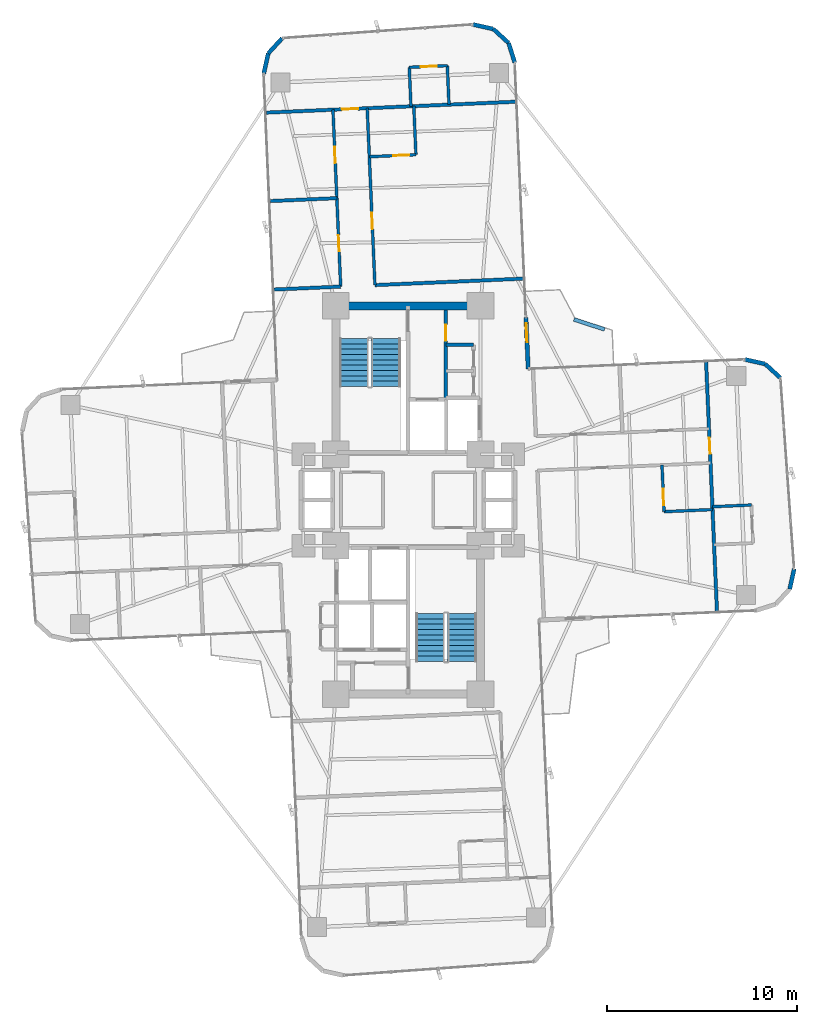
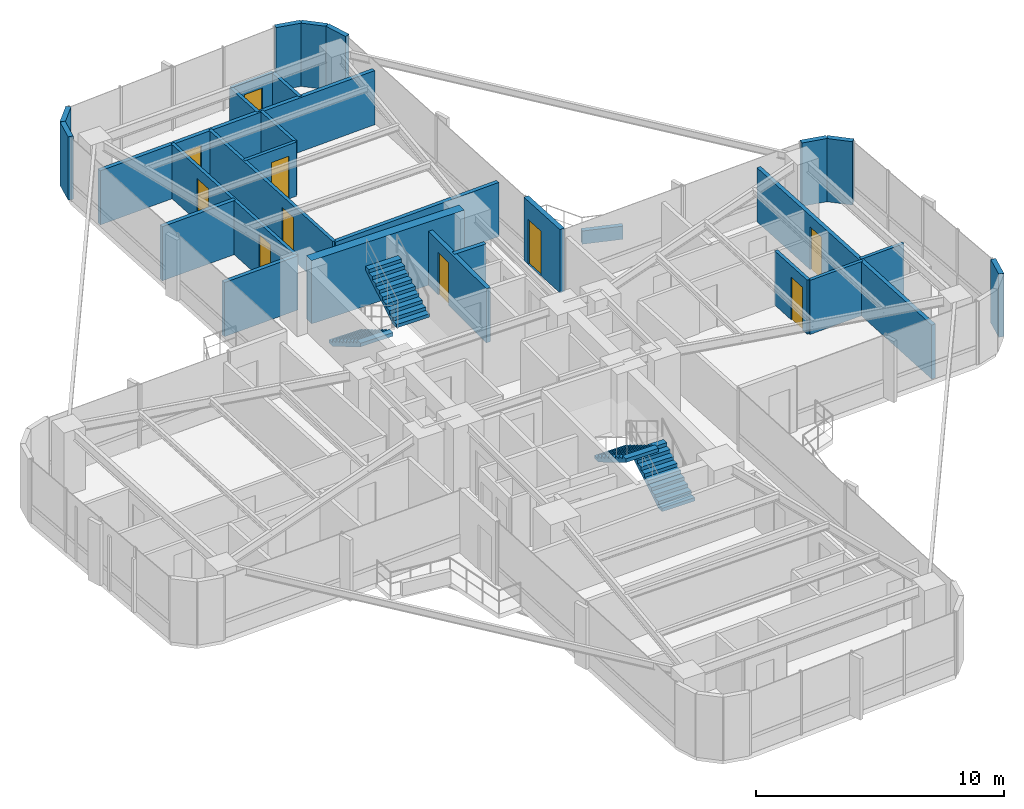
# One storey, part 25 of 27: 28 walls, 10 doors, 4 stair flights, 10 openings, 2 elements without a shape of their own.
"""IFC4 building model written with IfcOpenShell, lengths in metres."""

from ifc_helpers import new_model, si_unit, direction, frame, frame_2d, origin, origin_2d, place, context, subcontext, project, spatial, polyline, rectangle, outline, extrude, source, transform, mapped, material, layer, layer_set, type_object, element, fill, aggregate, save


model = new_model("IFC4")

# Units and contexts
model_context = context("Model", 3, precision=1e-05, world=origin(), true_north=direction((0.0, 1.0)))
body_context = subcontext(model_context, "Body", "Model", "MODEL_VIEW")
ifc_project = project(units=[si_unit("LENGTHUNIT", "METRE"), si_unit("AREAUNIT", "SQUARE_METRE"), si_unit("VOLUMEUNIT", "CUBIC_METRE"), si_unit("PLANEANGLEUNIT", "RADIAN"), si_unit("MASSUNIT", "GRAM", prefix="KILO")], contexts=[model_context])

# Site, building, storey
site_placement = place(None, origin())
site = spatial("IfcSite", under=ifc_project, at=site_placement, CompositionType="ELEMENT")
building_placement = place(site_placement, origin())
building = spatial("IfcBuilding", under=site, at=building_placement, Name="Sahyath Konkavel Grand Hotel", CompositionType="ELEMENT")
storey_placement = place(building_placement, frame((0.0, 0.0, 90.199951171875)))
storey = spatial("IfcBuildingStorey", under=building, at=storey_placement, Name="L24", CompositionType="ELEMENT", Elevation=90.199951171875)

# Walls
ifc_material_1 = material(Name="Concrete C50/60", Category="concrete")
ifc_layer_1 = layer(ifc_material_1, 0.419921875)
ifc_layer_set_1 = layer_set([ifc_layer_1], Name="Concrete C50/60")
wall_type_1 = type_object("IfcWallType", Name="CWALL-420", PredefinedType="SHEAR", material=ifc_layer_set_1)
wall_1_placement = place(storey_placement, frame((-3.550048828125, 10.199951171875, 0.0), z_axis=(0.0, 0.0, 1.0), x_axis=(1.0, 0.0, 0.0)))
element("IfcWall", 1, at=wall_1_placement, inside=storey, type_object=wall_type_1, Name="L24 North Core Shear Wall N", PredefinedType="SHEAR", context=body_context, shape_type="SweptSolid", body=[
    extrude(rectangle(XDim=7.10009765625, YDim=0.419921875, at=frame_2d((3.550048828125, 0.0))), origin(), (0.0, 0.0, 1.0), 3.110107421875),
])
ifc_material_2 = material(Name="Warm Buff Sandstone Insulated Concrete C40/50", Category="masonry")
ifc_layer_2 = layer(ifc_material_2, 0.219970703125)
ifc_layer_set_2 = layer_set([ifc_layer_2], Name="Warm Buff Sandstone Insulated Concrete C40/50")
wall_type_2 = type_object("IfcWallType", Name="WLL-BALC-THRESH", PredefinedType="STANDARD", material=ifc_layer_set_2)
for number, where, z_axis, x_axis, name in (
    (2, (20.0419921875, -4.68017578125, 0.0), (0.0, 0.0, 1.0), (0.216288323511, 0.976329535102, 0.0), "L24 Rounded Corner Sandstone Pier 3"),
    (3, (19.5576171875, 6.4091796875, 0.0), (0.0, 0.0, 1.0), (-0.737210081318, 0.675663596772, 0.0), "L24 Rounded Corner Sandstone Pier 5"),
):
    element("IfcWall", number, at=place(storey_placement, frame(where, z_axis=z_axis, x_axis=x_axis)), inside=storey, type_object=wall_type_2, Name=name, PredefinedType="STANDARD", context=body_context, shape_type="SweptSolid", body=[
        extrude(rectangle(XDim=1.0869140625, YDim=0.219970703125, at=frame_2d((0.54345703125, 0.0))), origin(), (0.0, 0.0, 1.0), 3.110107421875),
    ])
wall_2_placement = place(storey_placement, frame((18.75634765625, 7.1435546875, 0.0), z_axis=(0.0, 0.0, 1.0), x_axis=(-0.976282085775, 0.216502399514, 0.0)))
element("IfcWall", 4, at=wall_2_placement, inside=storey, type_object=wall_type_2, Name="L24 Rounded Corner Sandstone Pier 6", PredefinedType="STANDARD", context=body_context, shape_type="SweptSolid", body=[
    extrude(rectangle(XDim=1.087158203125, YDim=0.219970703125, at=frame_2d((0.54345703125, 0.0))), origin(), (0.0, 0.0, 1.0), 3.110107421875),
])

# Wall, opening, door
wall_3_placement = place(storey_placement, frame((6.305908203125, 6.881591796875, 0.0), z_axis=(0.0, 0.0, 1.0), x_axis=(-0.043672655174, 0.999045894436, 0.0)))
wall_3 = element("IfcWall", 5, at=wall_3_placement, inside=storey, type_object=wall_type_2, Name="L24 Winter-Garden Threshold Wall 8", PredefinedType="STANDARD", context=body_context, shape_type="SweptSolid", body=[
    extrude(rectangle(XDim=2.7001953125, YDim=0.219970703125, at=frame_2d((1.35009765625, 0.0))), origin(), (0.0, 0.0, 1.0), 3.110107421875),
])
opening_1_placement = place(wall_3_placement, frame((1.39990234375, 0.0, 0.0)))
opening_1 = element("IfcOpeningElement", 6, at=opening_1_placement, cuts=wall_3, Name="Opening D-TR1", PredefinedType="OPENING", context=body_context, shape_type="SweptSolid", body=[
    extrude(rectangle(XDim=1.0, YDim=2.199951171875, at=frame_2d((0.5, 1.10009765625))), frame((0.0, 0.1201171875, 0.0), z_axis=(0.0, -1.0, 0.0), x_axis=(1.0, 0.0, 0.0)), (0.0, 0.0, 1.0), 0.239990234375),
])
ifc_material_3 = material(Name="Anodised Bronze Aluminium & Low-E Glazing", Category="aluminium")
door_type_1 = type_object("IfcDoorType", Name="DR-TERRACE-1000", OperationType="NOTDEFINED", PredefinedType="DOOR", material=ifc_material_3)
shared_shape_1 = source(origin(), body_context, "Body", "SweptSolid", [
    extrude(rectangle(XDim=1.0, YDim=0.050048828125, at=origin_2d()), origin(), (0.0, 0.0, 1.0), 2.199951171875),
])
door_1_placement = place(opening_1_placement, frame((0.5, 0.0, 0.0)))
door_1 = element("IfcDoor", 7, at=door_1_placement, inside=storey, type_object=door_type_1, Name="L24 Winter-Garden Terrace Door 8", OperationType="SINGLE_SWING_LEFT", OverallHeight=2.199951171875, OverallWidth=1.0, PredefinedType="DOOR", context=body_context, shape_type="MappedRepresentation", body=[
    mapped(shared_shape_1, transform((0.0, 0.0, 0.0), scale=1.0)),
])
fill(opening_1, door_1)

# Walls
wall_4_placement = place(storey_placement, frame((5.603515625, 22.96630859375, 0.0), z_axis=(0.0, 0.0, 1.0), x_axis=(-0.300755105707, 0.953701403161, 0.0)))
element("IfcWall", 8, at=wall_4_placement, inside=storey, type_object=wall_type_2, Name="L24 Rounded Corner Sandstone Pier 9", PredefinedType="STANDARD", context=body_context, shape_type="SweptSolid", body=[
    extrude(rectangle(XDim=1.0869140625, YDim=0.219970703125, at=frame_2d((0.54345703125, 0.0))), origin(), (0.0, 0.0, 1.0), 3.110107421875),
])
wall_5_placement = place(storey_placement, frame((5.276611328125, 24.0029296875, 0.0), z_axis=(0.0, 0.0, 1.0), x_axis=(-0.737312600672, 0.675551721847, 0.0)))
element("IfcWall", 9, at=wall_5_placement, inside=storey, type_object=wall_type_2, Name="L24 Rounded Corner Sandstone Pier 10", PredefinedType="STANDARD", context=body_context, shape_type="SweptSolid", body=[
    extrude(rectangle(XDim=1.087158203125, YDim=0.219970703125, at=frame_2d((0.54345703125, 0.0))), origin(), (0.0, 0.0, 1.0), 3.110107421875),
])
for number, where, z_axis, x_axis, name in (
    (10, (4.47509765625, 24.7373046875, 0.0), (0.0, 0.0, 1.0), (-0.976271555154, 0.216549880158, 0.0), "L24 Rounded Corner Sandstone Pier 11"),
    (11, (-6.6142578125, 24.253173828125, 0.0), (0.0, 0.0, 1.0), (-0.675663596772, -0.737210081318, 0.0), "L24 Rounded Corner Sandstone Pier 13"),
):
    element("IfcWall", number, at=place(storey_placement, frame(where, z_axis=z_axis, x_axis=x_axis)), inside=storey, type_object=wall_type_2, Name=name, PredefinedType="STANDARD", context=body_context, shape_type="SweptSolid", body=[
        extrude(rectangle(XDim=1.0869140625, YDim=0.219970703125, at=frame_2d((0.54345703125, 0.0))), origin(), (0.0, 0.0, 1.0), 3.110107421875),
    ])
wall_6_placement = place(storey_placement, frame((-7.3486328125, 23.451904296875, 0.0), z_axis=(0.0, 0.0, 1.0), x_axis=(-0.216454939174, -0.976292609471, 0.0)))
element("IfcWall", 12, at=wall_6_placement, inside=storey, type_object=wall_type_2, Name="L24 Rounded Corner Sandstone Pier 14", PredefinedType="STANDARD", context=body_context, shape_type="SweptSolid", body=[
    extrude(rectangle(XDim=1.08740234375, YDim=0.219970703125, at=frame_2d((0.543701171875, 0.0))), origin(), (0.0, 0.0, 1.0), 3.110107421875),
])

# Wall, opening, door
ifc_material_4 = material(Name="Concrete C40/50", Category="concrete")
ifc_layer_3 = layer(ifc_material_4, 0.199951171875)
ifc_layer_set_3 = layer_set([ifc_layer_3], Name="Concrete C40/50")
wall_type_3 = type_object("IfcWallType", Name="WLL-CORE-200", PredefinedType="SOLIDWALL", material=ifc_layer_set_3)
wall_7_placement = place(storey_placement, frame((1.97998046875, 5.320068359375, 0.0), z_axis=(0.0, 0.0, 1.0), x_axis=(0.0, 1.0, 0.0)))
wall_7 = element("IfcWall", 13, at=wall_7_placement, inside=storey, type_object=wall_type_3, Name="L24 North Firefighting Lobby Wall E", PredefinedType="SOLIDWALL", context=body_context, shape_type="SweptSolid", body=[
    extrude(rectangle(XDim=4.659912109375, YDim=0.199951171875, at=frame_2d((2.330078125, 0.0))), origin(), (0.0, 0.0, 1.0), 2.66015625),
])
opening_2_placement = place(wall_7_placement, frame((3.0400390625, 0.0, 0.0)))
opening_2 = element("IfcOpeningElement", 14, at=opening_2_placement, cuts=wall_7, Name="Opening D-F12D", PredefinedType="OPENING", context=body_context, shape_type="SweptSolid", body=[
    extrude(rectangle(XDim=0.85009765625, YDim=2.10009765625, at=frame_2d((0.425048828125, 1.050048828125))), frame((0.0, 0.10986328125, 0.0), z_axis=(0.0, -1.0, 0.0), x_axis=(1.0, 0.0, 0.0)), (0.0, 0.0, 1.0), 0.219970703125),
])
ifc_material_5 = material(Name="Steel E350 Core Fire Door", Category="steel")
door_type_2 = type_object("IfcDoorType", Name="DR-FD120-850", OperationType="NOTDEFINED", PredefinedType="DOOR", material=ifc_material_5)
shared_shape_2 = source(origin(), body_context, "Body", "SweptSolid", [
    extrude(rectangle(XDim=0.85009765625, YDim=0.050048828125, at=origin_2d()), origin(), (0.0, 0.0, 1.0), 2.10009765625),
])
door_2_placement = place(opening_2_placement, frame((0.425048828125, 0.0, 0.0)))
door_2 = element("IfcDoor", 15, at=door_2_placement, inside=storey, type_object=door_type_2, Name="L24 North Firefighting Lobby Door", OperationType="SINGLE_SWING_RIGHT", OverallHeight=2.10009765625, OverallWidth=0.85009765625, PredefinedType="DOOR", context=body_context, shape_type="MappedRepresentation", body=[
    mapped(shared_shape_2, transform((0.0, 0.0, 0.0), scale=1.0)),
])
fill(opening_2, door_2)

# Wall
wall_8_placement = place(storey_placement, frame((1.97998046875, 8.14990234375, 0.0), z_axis=(0.0, 0.0, 1.0), x_axis=(1.0, 0.0, 0.0)))
element("IfcWall", 16, at=wall_8_placement, inside=storey, type_object=wall_type_3, Name="L24 Partition NC-REC-N", PredefinedType="SOLIDWALL", context=body_context, shape_type="SweptSolid", body=[
    extrude(rectangle(XDim=1.4599609375, YDim=0.199951171875, at=frame_2d((0.72998046875, 0.0))), origin(), (0.0, 0.0, 1.0), 2.66015625),
])

# Wall, opening, door
ifc_material_6 = material(Name="Twin-Stud Acoustic Gypsum Plasterboard Partition")
ifc_layer_4 = layer(ifc_material_6, 0.179931640625)
ifc_layer_set_4 = layer_set([ifc_layer_4], Name="Twin-Stud Acoustic Gypsum Plasterboard Partition")
wall_type_4 = type_object("IfcWallType", Name="WLL-DEMISE-180", PredefinedType="PARTITIONING", material=ifc_layer_set_4)
wall_9_placement = place(storey_placement, frame((16.220458984375, -5.847900390625, 0.0), z_axis=(0.0, 0.0, 1.0), x_axis=(-0.043610300466, 0.999048618283, 0.0)))
wall_9 = element("IfcWall", 17, at=wall_9_placement, inside=storey, type_object=wall_type_4, Name="L24 Partition E-ETIP-END", PredefinedType="PARTITIONING", context=body_context, shape_type="SweptSolid", body=[
    extrude(rectangle(XDim=13.099853515625, YDim=0.179931640625, at=frame_2d((6.5498046875, 0.0))), origin(), (0.0, 0.0, 1.0), 2.66015625),
])
opening_3_placement = place(wall_9_placement, frame((8.27490234375, 0.0, 0.0)))
opening_3 = element("IfcOpeningElement", 18, at=opening_3_placement, cuts=wall_9, Name="Opening D-F06D", PredefinedType="OPENING", context=body_context, shape_type="SweptSolid", body=[
    extrude(rectangle(XDim=0.85009765625, YDim=2.10009765625, at=frame_2d((0.425048828125, 1.050048828125))), frame((0.0, 0.10009765625, 0.0), z_axis=(0.0, -1.0, 0.0), x_axis=(1.0, 0.0, 0.0)), (0.0, 0.0, 1.0), 0.199951171875),
])
ifc_material_7 = material(Name="Fire-Rated Shaft Access Door")
door_type_3 = type_object("IfcDoorType", Name="DR-FD60-850", OperationType="NOTDEFINED", PredefinedType="DOOR", material=ifc_material_7)
door_3_placement = place(opening_3_placement, frame((0.425048828125, 0.0, 0.0)))
door_3 = element("IfcDoor", 19, at=door_3_placement, inside=storey, type_object=door_type_3, Name="L24 Door E-ETIP-ED", OperationType="SINGLE_SWING_RIGHT", OverallHeight=2.10009765625, OverallWidth=0.85009765625, PredefinedType="DOOR", context=body_context, shape_type="MappedRepresentation", body=[
    mapped(shared_shape_2, transform((0.0, 0.0, 0.0), scale=1.0)),
])
fill(opening_3, door_3)

# Walls
wall_10_placement = place(storey_placement, frame((-3.542236328125, 11.206298828125, 0.0), z_axis=(0.0, 0.0, 1.0), x_axis=(-0.999046129111, -0.04366728647, 0.0)))
element("IfcWall", 20, at=wall_10_placement, inside=storey, type_object=wall_type_4, Name="L24 Partition N-INL", PredefinedType="PARTITIONING", context=body_context, shape_type="SweptSolid", body=[
    extrude(rectangle(XDim=3.5, YDim=0.179931640625, at=frame_2d((1.75, 0.0))), origin(), (0.0, 0.0, 1.0), 2.66015625),
])
wall_11_placement = place(storey_placement, frame((6.048583984375, 11.625, 0.0), z_axis=(0.0, 0.0, 1.0), x_axis=(-0.999047634936, -0.043632821702, 0.0)))
element("IfcWall", 21, at=wall_11_placement, inside=storey, type_object=wall_type_4, Name="L24 Partition N-INR", PredefinedType="PARTITIONING", context=body_context, shape_type="SweptSolid", body=[
    extrude(rectangle(XDim=7.7998046875, YDim=0.179931640625, at=frame_2d((3.89990234375, 0.0))), origin(), (0.0, 0.0, 1.0), 2.66015625),
])
wall_12_placement = place(storey_placement, frame((-3.7451171875, 15.851806640625, 0.0), z_axis=(0.0, 0.0, 1.0), x_axis=(-0.999049169846, -0.043597663116, 0.0)))
element("IfcWall", 22, at=wall_12_placement, inside=storey, type_object=wall_type_4, Name="L24 Partition N-N4L1-DEM", PredefinedType="PARTITIONING", context=body_context, shape_type="SweptSolid", body=[
    extrude(rectangle(XDim=3.5, YDim=0.179931640625, at=frame_2d((1.75, 0.0))), origin(), (0.0, 0.0, 1.0), 2.66015625),
])

# Wall, opening, door
wall_13_placement = place(storey_placement, frame((5.64306640625, 20.916015625, 0.0), z_axis=(0.0, 0.0, 1.0), x_axis=(-0.999047841598, -0.043628089563, 0.0)))
wall_13 = element("IfcWall", 23, at=wall_13_placement, inside=storey, type_object=wall_type_4, Name="L24 Partition N-NTIP-END", PredefinedType="PARTITIONING", context=body_context, shape_type="SweptSolid", body=[
    extrude(rectangle(XDim=13.10009765625, YDim=0.179931640625, at=frame_2d((6.550048828125, 0.0))), origin(), (0.0, 0.0, 1.0), 2.66015625),
])
opening_4_placement = place(wall_13_placement, frame((8.27490234375, 0.0, 0.0)))
opening_4 = element("IfcOpeningElement", 24, at=opening_4_placement, cuts=wall_13, Name="Opening D-F06D", PredefinedType="OPENING", context=body_context, shape_type="SweptSolid", body=[
    extrude(rectangle(XDim=0.85009765625, YDim=2.10009765625, at=frame_2d((0.425048828125, 1.050048828125))), frame((0.0, 0.10009765625, 0.0), z_axis=(0.0, -1.0, 0.0), x_axis=(1.0, 0.0, 0.0)), (0.0, 0.0, 1.0), 0.199951171875),
])
door_4_placement = place(opening_4_placement, frame((0.425048828125, 0.0, 0.0)))
door_4 = element("IfcDoor", 25, at=door_4_placement, inside=storey, type_object=door_type_3, Name="L24 Door N-NTIP-ED", OperationType="SINGLE_SWING_RIGHT", OverallHeight=2.10009765625, OverallWidth=0.85009765625, PredefinedType="DOOR", context=body_context, shape_type="MappedRepresentation", body=[
    mapped(shared_shape_2, transform((0.0, 0.0, 0.0), scale=1.0)),
])
fill(opening_4, door_4)

ifc_material_8 = material(Name="Fire-Rated Gypsum Plasterboard Partition")
ifc_layer_5 = layer(ifc_material_8, 0.14990234375)
ifc_layer_set_5 = layer_set([ifc_layer_5], Name="Fire-Rated Gypsum Plasterboard Partition")
wall_type_5 = type_object("IfcWallType", Name="WLL-PART-150", PredefinedType="PARTITIONING", material=ifc_layer_set_5)
wall_14_placement = place(storey_placement, frame((13.332763671875, 1.833251953125, 0.0), z_axis=(0.0, 0.0, 1.0), x_axis=(0.043644787072, -0.999047112283, 0.0)))
wall_14 = element("IfcWall", 26, at=wall_14_placement, inside=storey, type_object=wall_type_5, Name="L24 Partition E-E4R1-BS", PredefinedType="PARTITIONING", context=body_context, shape_type="SweptSolid", body=[
    extrude(rectangle(XDim=2.4501953125, YDim=0.14990234375, at=frame_2d((1.22509765625, 0.0))), origin(), (0.0, 0.0, 1.0), 2.66015625),
])
opening_5_placement = place(wall_14_placement, frame((1.25, 0.0, 0.0)))
opening_5 = element("IfcOpeningElement", 27, at=opening_5_placement, cuts=wall_14, Name="Opening D-BT85", PredefinedType="OPENING", context=body_context, shape_type="SweptSolid", body=[
    extrude(rectangle(XDim=0.85009765625, YDim=2.10009765625, at=frame_2d((0.425048828125, 1.050048828125))), frame((0.0, 0.0849609375, 0.0), z_axis=(0.0, -1.0, 0.0), x_axis=(1.0, 0.0, 0.0)), (0.0, 0.0, 1.0), 0.169921875),
])
ifc_material_9 = material(Name="Moisture-Resistant Teak Bathroom Door")
door_type_4 = type_object("IfcDoorType", Name="DR-BATH-850", OperationType="NOTDEFINED", PredefinedType="DOOR", material=ifc_material_9)
door_5_placement = place(opening_5_placement, frame((0.425048828125, 0.0, 0.0)))
door_5 = element("IfcDoor", 28, at=door_5_placement, inside=storey, type_object=door_type_4, Name="L24 Door E-E4R1-BD", OperationType="SINGLE_SWING_LEFT", OverallHeight=2.10009765625, OverallWidth=0.85009765625, PredefinedType="DOOR", context=body_context, shape_type="MappedRepresentation", body=[
    mapped(shared_shape_2, transform((0.0, 0.0, 0.0), scale=1.0)),
])
fill(opening_5, door_5)

# Walls
wall_15_placement = place(storey_placement, frame((13.439697265625, -0.614501953125, 0.0), z_axis=(0.0, 0.0, 1.0), x_axis=(0.999046560091, 0.043657425146, 0.0)))
element("IfcWall", 29, at=wall_15_placement, inside=storey, type_object=wall_type_5, Name="L24 Partition E-E4R1-BF", PredefinedType="PARTITIONING", context=body_context, shape_type="SweptSolid", body=[
    extrude(rectangle(XDim=2.550048828125, YDim=0.14990234375, at=frame_2d((1.27490234375, 0.0))), origin(), (0.0, 0.0, 1.0), 2.66015625),
])
wall_16_placement = place(storey_placement, frame((15.980712890625, -0.353271484375, 0.0), z_axis=(0.0, 0.0, 1.0), x_axis=(0.999049630844, 0.043587097972, 0.0)))
element("IfcWall", 30, at=wall_16_placement, inside=storey, type_object=wall_type_5, Name="L24 Partition E-ETIP-BN", PredefinedType="PARTITIONING", context=body_context, shape_type="SweptSolid", body=[
    extrude(rectangle(XDim=2.050048828125, YDim=0.14990234375, at=frame_2d((1.02490234375, 0.0))), origin(), (0.0, 0.0, 1.0), 2.66015625),
])

# Wall, openings, doors
wall_17_placement = place(storey_placement, frame((-3.542236328125, 11.206298828125, 0.0), z_axis=(0.0, 0.0, 1.0), x_axis=(-0.043604692074, 0.999048863084, 0.0)))
wall_17 = element("IfcWall", 31, at=wall_17_placement, inside=storey, type_object=wall_type_5, Name="L24 Partition N-CL", PredefinedType="PARTITIONING", context=body_context, shape_type="SweptSolid", body=[
    extrude(rectangle(XDim=9.2998046875, YDim=0.14990234375, at=frame_2d((4.64990234375, 0.0))), origin(), (0.0, 0.0, 1.0), 2.66015625),
])
opening_6_placement = place(wall_17_placement, frame((1.85009765625, 0.0, 0.0)))
opening_6 = element("IfcOpeningElement", 32, at=opening_6_placement, cuts=wall_17, Name="Opening D-F06D", PredefinedType="OPENING", context=body_context, shape_type="SweptSolid", body=[
    extrude(rectangle(XDim=0.85009765625, YDim=2.10009765625, at=frame_2d((0.425048828125, 1.050048828125))), frame((0.0, 0.0849609375, 0.0), z_axis=(0.0, -1.0, 0.0), x_axis=(1.0, 0.0, 0.0)), (0.0, 0.0, 1.0), 0.169921875),
])
opening_7_placement = place(wall_17_placement, frame((6.5, 0.0, 0.0)))
opening_7 = element("IfcOpeningElement", 33, at=opening_7_placement, cuts=wall_17, Name="Opening D-F06D", PredefinedType="OPENING", context=body_context, shape_type="SweptSolid", body=[
    extrude(rectangle(XDim=0.85009765625, YDim=2.10009765625, at=frame_2d((0.425048828125, 1.050048828125))), frame((0.0, 0.0849609375, 0.0), z_axis=(0.0, -1.0, 0.0), x_axis=(1.0, 0.0, 0.0)), (0.0, 0.0, 1.0), 0.169921875),
])
door_6_placement = place(opening_6_placement, frame((0.425048828125, 0.0, 0.0)))
door_6 = element("IfcDoor", 34, at=door_6_placement, inside=storey, type_object=door_type_3, Name="L24 Door N-N4L1-D", OperationType="SINGLE_SWING_LEFT", OverallHeight=2.10009765625, OverallWidth=0.85009765625, PredefinedType="DOOR", context=body_context, shape_type="MappedRepresentation", body=[
    mapped(shared_shape_2, transform((0.0, 0.0, 0.0), scale=1.0)),
])
fill(opening_6, door_6)
door_7_placement = place(opening_7_placement, frame((0.425048828125, 0.0, 0.0)))
door_7 = element("IfcDoor", 35, at=door_7_placement, inside=storey, type_object=door_type_3, Name="L24 Door N-N4L2-D", OperationType="SINGLE_SWING_RIGHT", OverallHeight=2.10009765625, OverallWidth=0.85009765625, PredefinedType="DOOR", context=body_context, shape_type="MappedRepresentation", body=[
    mapped(shared_shape_2, transform((0.0, 0.0, 0.0), scale=1.0)),
])
fill(opening_7, door_7)

# Wall, opening, door
wall_18_placement = place(storey_placement, frame((-1.743896484375, 11.28466796875, 0.0), z_axis=(0.0, 0.0, 1.0), x_axis=(-0.043630894187, 0.999047719117, 0.0)))
wall_18 = element("IfcWall", 36, at=wall_18_placement, inside=storey, type_object=wall_type_5, Name="L24 Partition N-CR", PredefinedType="PARTITIONING", context=body_context, shape_type="SweptSolid", body=[
    extrude(rectangle(XDim=9.2998046875, YDim=0.14990234375, at=frame_2d((4.64990234375, 0.0))), origin(), (0.0, 0.0, 1.0), 2.66015625),
])
opening_8_placement = place(wall_18_placement, frame((2.949951171875, 0.0, 0.0)))
opening_8 = element("IfcOpeningElement", 37, at=opening_8_placement, cuts=wall_18, Name="Opening D-F06D", PredefinedType="OPENING", context=body_context, shape_type="SweptSolid", body=[
    extrude(rectangle(XDim=0.85009765625, YDim=2.10009765625, at=frame_2d((0.425048828125, 1.050048828125))), frame((0.0, 0.0849609375, 0.0), z_axis=(0.0, -1.0, 0.0), x_axis=(1.0, 0.0, 0.0)), (0.0, 0.0, 1.0), 0.169921875),
])
door_8_placement = place(opening_8_placement, frame((0.425048828125, 0.0, 0.0)))
door_8 = element("IfcDoor", 38, at=door_8_placement, inside=storey, type_object=door_type_3, Name="L24 Door N-N4R1-ED", OperationType="SINGLE_SWING_RIGHT", OverallHeight=2.10009765625, OverallWidth=0.85009765625, PredefinedType="DOOR", context=body_context, shape_type="MappedRepresentation", body=[
    mapped(shared_shape_2, transform((0.0, 0.0, 0.0), scale=1.0)),
])
fill(opening_8, door_8)

wall_19_placement = place(storey_placement, frame((-2.038330078125, 18.0283203125, 0.0), z_axis=(0.0, 0.0, 1.0), x_axis=(0.999051263243, 0.043549666039, 0.0)))
wall_19 = element("IfcWall", 39, at=wall_19_placement, inside=storey, type_object=wall_type_5, Name="L24 Partition N-N4R1-BS", PredefinedType="PARTITIONING", context=body_context, shape_type="SweptSolid", body=[
    extrude(rectangle(XDim=2.449951171875, YDim=0.14990234375, at=frame_2d((1.22509765625, 0.0))), origin(), (0.0, 0.0, 1.0), 2.66015625),
])
opening_9_placement = place(wall_19_placement, frame((1.25, 0.0, 0.0)))
opening_9 = element("IfcOpeningElement", 40, at=opening_9_placement, cuts=wall_19, Name="Opening D-BT85", PredefinedType="OPENING", context=body_context, shape_type="SweptSolid", body=[
    extrude(rectangle(XDim=0.85009765625, YDim=2.10009765625, at=frame_2d((0.425048828125, 1.050048828125))), frame((0.0, 0.0849609375, 0.0), z_axis=(0.0, -1.0, 0.0), x_axis=(1.0, 0.0, 0.0)), (0.0, 0.0, 1.0), 0.169921875),
])
door_9_placement = place(opening_9_placement, frame((0.425048828125, 0.0, 0.0)))
door_9 = element("IfcDoor", 41, at=door_9_placement, inside=storey, type_object=door_type_4, Name="L24 Door N-N4R1-BD", OperationType="SINGLE_SWING_LEFT", OverallHeight=2.10009765625, OverallWidth=0.85009765625, PredefinedType="DOOR", context=body_context, shape_type="MappedRepresentation", body=[
    mapped(shared_shape_2, transform((0.0, 0.0, 0.0), scale=1.0)),
])
fill(opening_9, door_9)

# Walls
wall_20_placement = place(storey_placement, frame((0.4091796875, 18.135009765625, 0.0), z_axis=(0.0, 0.0, 1.0), x_axis=(-0.043561867058, 0.999050731314, 0.0)))
element("IfcWall", 42, at=wall_20_placement, inside=storey, type_object=wall_type_5, Name="L24 Partition N-N4R1-BF", PredefinedType="PARTITIONING", context=body_context, shape_type="SweptSolid", body=[
    extrude(rectangle(XDim=2.550048828125, YDim=0.14990234375, at=frame_2d((1.27490234375, 0.0))), origin(), (0.0, 0.0, 1.0), 2.66015625),
])
wall_21_placement = place(storey_placement, frame((0.148193359375, 20.676025390625, 0.0), z_axis=(0.0, 0.0, 1.0), x_axis=(-0.043587097972, 0.999049630844, 0.0)))
element("IfcWall", 43, at=wall_21_placement, inside=storey, type_object=wall_type_5, Name="L24 Partition N-NTIP-BN", PredefinedType="PARTITIONING", context=body_context, shape_type="SweptSolid", body=[
    extrude(rectangle(XDim=2.050048828125, YDim=0.14990234375, at=frame_2d((1.02490234375, 0.0))), origin(), (0.0, 0.0, 1.0), 2.66015625),
])
wall_22_placement = place(storey_placement, frame((2.146484375, 20.763427734375, 0.0), z_axis=(0.0, 0.0, 1.0), x_axis=(-0.043711161805, 0.9990442104, 0.0)))
element("IfcWall", 44, at=wall_22_placement, inside=storey, type_object=wall_type_5, Name="L24 Partition N-NTIP-BS", PredefinedType="PARTITIONING", context=body_context, shape_type="SweptSolid", body=[
    extrude(rectangle(XDim=2.0498046875, YDim=0.14990234375, at=frame_2d((1.02490234375, 0.0))), origin(), (0.0, 0.0, 1.0), 2.66015625),
])

# Wall, opening, door
wall_23_placement = place(storey_placement, frame((2.056884765625, 22.811279296875, 0.0), z_axis=(0.0, 0.0, 1.0), x_axis=(-0.999049929275, -0.043580257179, 0.0)))
wall_23 = element("IfcWall", 45, at=wall_23_placement, inside=storey, type_object=wall_type_5, Name="L24 Partition N-NTIP-BE", PredefinedType="PARTITIONING", context=body_context, shape_type="SweptSolid", body=[
    extrude(rectangle(XDim=2.0, YDim=0.14990234375, at=frame_2d((1.0, 0.0))), origin(), (0.0, 0.0, 1.0), 2.66015625),
])
opening_10_placement = place(wall_23_placement, frame((0.550048828125, 0.0, 0.0)))
opening_10 = element("IfcOpeningElement", 46, at=opening_10_placement, cuts=wall_23, Name="Opening D-BT85", PredefinedType="OPENING", context=body_context, shape_type="SweptSolid", body=[
    extrude(rectangle(XDim=0.85009765625, YDim=2.10009765625, at=frame_2d((0.425048828125, 1.050048828125))), frame((0.0, 0.0849609375, 0.0), z_axis=(0.0, -1.0, 0.0), x_axis=(1.0, 0.0, 0.0)), (0.0, 0.0, 1.0), 0.169921875),
])
door_10_placement = place(opening_10_placement, frame((0.425048828125, 0.0, 0.0)))
door_10 = element("IfcDoor", 47, at=door_10_placement, inside=storey, type_object=door_type_4, Name="L24 Door N-NTIP-BD", OperationType="SINGLE_SWING_LEFT", OverallHeight=2.10009765625, OverallWidth=0.85009765625, PredefinedType="DOOR", context=body_context, shape_type="MappedRepresentation", body=[
    mapped(shared_shape_2, transform((0.0, 0.0, 0.0), scale=1.0)),
])
fill(opening_10, door_10)

# Wall
ifc_material_10 = material(Name="Warm Buff Sandstone Planter Wall", Category="masonry")
ifc_layer_6 = layer(ifc_material_10, 0.199951171875)
ifc_layer_set_6 = layer_set([ifc_layer_6], Name="Warm Buff Sandstone Planter Wall")
wall_type_6 = type_object("IfcWallType", Name="WLL-PLANTER-200", PredefinedType="PARAPET", material=ifc_layer_set_6)
wall_24_placement = place(storey_placement, frame((10.317138671875, 8.9580078125, 0.0), z_axis=(0.0, 0.0, 1.0), x_axis=(-0.951111570269, 0.30884750428, 0.0)))
element("IfcWall", 48, at=wall_24_placement, inside=storey, type_object=wall_type_6, Name="L24 Sky-Garden Stone Planter PLANTER NE", PredefinedType="PARAPET", context=body_context, shape_type="SweptSolid", body=[
    extrude(rectangle(XDim=1.689208984375, YDim=0.199951171875, at=frame_2d((0.8447265625, 0.0))), origin(), (0.0, 0.0, 1.0), 0.650146484375),
])

# Stair, stair flights
stair_type = type_object("IfcStairType", Name="STR-ST16-335", PredefinedType="HALF_TURN_STAIR", material=ifc_material_4)
stair_1_placement = place(storey_placement, origin())
stair_1 = element("IfcStair", 49, at=stair_1_placement, inside=storey, type_object=stair_type, Name="L24 North Core Smokeproof Exit Stair ST-1", PredefinedType="HALF_TURN_STAIR")
stair_flight_type = type_object("IfcStairFlightType", Name="STF-ST16-335", PredefinedType="STRAIGHT", material=ifc_material_4)
stair_flight_1_placement = place(storey_placement, frame((-2.840087890625, 8.47998046875, 0.0), z_axis=(0.0, 0.0, 1.0), x_axis=(0.0, -1.0, 0.0)))
stair_flight_1 = element("IfcStairFlight", 50, at=stair_flight_1_placement, type_object=stair_flight_type, Name="ST-1 flight 1", NumberOfRisers=10, NumberOfTreads=9, PredefinedType="STRAIGHT", RiserHeight=0.1675, TreadLength=0.28, context=body_context, shape_type="SweptSolid", body=[
    extrude(outline(polyline([(0.0, 0.0), (0.0, 0.16748046875), (0.280029296875, 0.16748046875), (0.280029296875, 0.3349609375), (0.56005859375, 0.3349609375), (0.56005859375, 0.50244140625), (0.840087890625, 0.50244140625), (0.840087890625, 0.669921875), (1.1201171875, 0.669921875), (1.1201171875, 0.83740234375), (1.39990234375, 0.83740234375), (1.39990234375, 1.0048828125), (1.679931640625, 1.0048828125), (1.679931640625, 1.172607421875), (1.9599609375, 1.172607421875), (1.9599609375, 1.340087890625), (2.239990234375, 1.340087890625), (2.239990234375, 1.507568359375), (2.52001953125, 1.507568359375), (2.52001953125, 1.675048828125), (2.52001953125, 1.332763671875), (0.2919921875, 0.0), (0.0, 0.0)])), frame((0.0, 0.760009765625, 0.0), z_axis=(0.0, -1.0, 0.0), x_axis=(1.0, 0.0, 0.0)), (0.0, 0.0, 1.0), 1.52001953125),
])
stair_flight_2_placement = place(storey_placement, frame((-1.159912109375, 5.9599609375, 1.675048828125), z_axis=(0.0, 0.0, 1.0), x_axis=(0.0, 1.0, 0.0)))
stair_flight_2 = element("IfcStairFlight", 51, at=stair_flight_2_placement, type_object=stair_flight_type, Name="ST-1 flight 2", NumberOfRisers=10, NumberOfTreads=9, PredefinedType="STRAIGHT", RiserHeight=0.1675, TreadLength=0.28, context=body_context, shape_type="SweptSolid", body=[
    extrude(outline(polyline([(0.0, 0.0), (0.0, 0.16748046875), (0.280029296875, 0.16748046875), (0.280029296875, 0.3349609375), (0.56005859375, 0.3349609375), (0.56005859375, 0.50244140625), (0.840087890625, 0.50244140625), (0.840087890625, 0.669921875), (1.1201171875, 0.669921875), (1.1201171875, 0.83740234375), (1.39990234375, 0.83740234375), (1.39990234375, 1.0048828125), (1.679931640625, 1.0048828125), (1.679931640625, 1.172607421875), (1.9599609375, 1.172607421875), (1.9599609375, 1.340087890625), (2.239990234375, 1.340087890625), (2.239990234375, 1.507568359375), (2.52001953125, 1.507568359375), (2.52001953125, 1.675048828125), (2.52001953125, 1.332763671875), (0.2919921875, 0.0), (0.0, 0.0)])), frame((0.0, 0.760009765625, 0.0), z_axis=(0.0, -1.0, 0.0), x_axis=(1.0, 0.0, 0.0)), (0.0, 0.0, 1.0), 1.52001953125),
])
aggregate(stair_1, [stair_flight_1, stair_flight_2])

stair_2_placement = place(storey_placement, origin())
stair_2 = element("IfcStair", 52, at=stair_2_placement, inside=storey, type_object=stair_type, Name="L24 South Core Smokeproof Exit Stair ST-2", PredefinedType="HALF_TURN_STAIR")
stair_flight_3_placement = place(storey_placement, frame((2.840087890625, -8.47998046875, 0.0), z_axis=(0.0, 0.0, 1.0), x_axis=(0.0, 1.0, 0.0)))
stair_flight_3 = element("IfcStairFlight", 53, at=stair_flight_3_placement, type_object=stair_flight_type, Name="ST-2 flight 1", NumberOfRisers=10, NumberOfTreads=9, PredefinedType="STRAIGHT", RiserHeight=0.1675, TreadLength=0.28, context=body_context, shape_type="SweptSolid", body=[
    extrude(outline(polyline([(0.0, 0.0), (0.0, 0.16748046875), (0.280029296875, 0.16748046875), (0.280029296875, 0.3349609375), (0.56005859375, 0.3349609375), (0.56005859375, 0.50244140625), (0.840087890625, 0.50244140625), (0.840087890625, 0.669921875), (1.1201171875, 0.669921875), (1.1201171875, 0.83740234375), (1.39990234375, 0.83740234375), (1.39990234375, 1.0048828125), (1.679931640625, 1.0048828125), (1.679931640625, 1.172607421875), (1.9599609375, 1.172607421875), (1.9599609375, 1.340087890625), (2.239990234375, 1.340087890625), (2.239990234375, 1.507568359375), (2.52001953125, 1.507568359375), (2.52001953125, 1.675048828125), (2.52001953125, 1.332763671875), (0.2919921875, 0.0), (0.0, 0.0)])), frame((0.0, 0.760009765625, 0.0), z_axis=(0.0, -1.0, 0.0), x_axis=(1.0, 0.0, 0.0)), (0.0, 0.0, 1.0), 1.52001953125),
])
stair_flight_4_placement = place(storey_placement, frame((1.159912109375, -5.9599609375, 1.675048828125), z_axis=(0.0, 0.0, 1.0), x_axis=(0.0, -1.0, 0.0)))
stair_flight_4 = element("IfcStairFlight", 54, at=stair_flight_4_placement, type_object=stair_flight_type, Name="ST-2 flight 2", NumberOfRisers=10, NumberOfTreads=9, PredefinedType="STRAIGHT", RiserHeight=0.1675, TreadLength=0.28, context=body_context, shape_type="SweptSolid", body=[
    extrude(outline(polyline([(0.0, 0.0), (0.0, 0.16748046875), (0.280029296875, 0.16748046875), (0.280029296875, 0.3349609375), (0.56005859375, 0.3349609375), (0.56005859375, 0.50244140625), (0.840087890625, 0.50244140625), (0.840087890625, 0.669921875), (1.1201171875, 0.669921875), (1.1201171875, 0.83740234375), (1.39990234375, 0.83740234375), (1.39990234375, 1.0048828125), (1.679931640625, 1.0048828125), (1.679931640625, 1.172607421875), (1.9599609375, 1.172607421875), (1.9599609375, 1.340087890625), (2.239990234375, 1.340087890625), (2.239990234375, 1.507568359375), (2.52001953125, 1.507568359375), (2.52001953125, 1.675048828125), (2.52001953125, 1.332763671875), (0.2919921875, 0.0), (0.0, 0.0)])), frame((0.0, 0.760009765625, 0.0), z_axis=(0.0, -1.0, 0.0), x_axis=(1.0, 0.0, 0.0)), (0.0, 0.0, 1.0), 1.52001953125),
])
aggregate(stair_2, [stair_flight_3, stair_flight_4])

save(model, "model.ifc")
